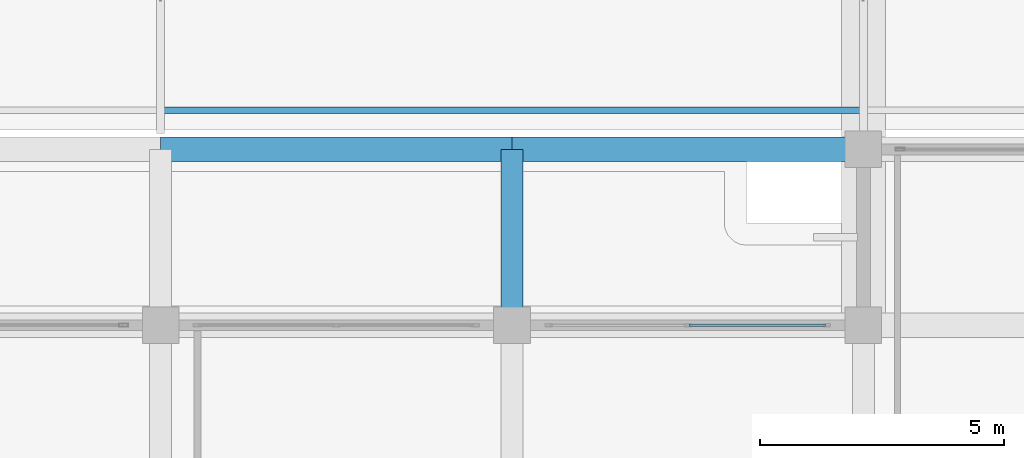
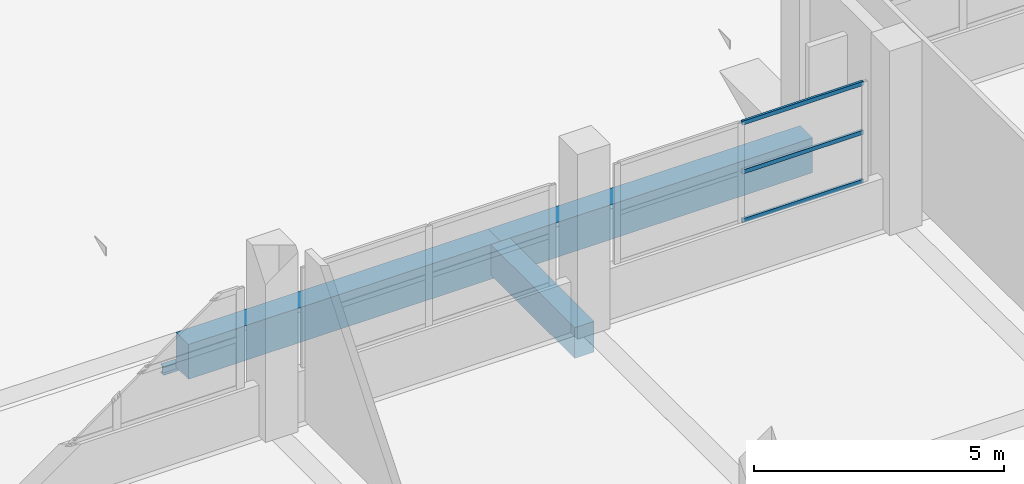
# One storey, part 68 of 141: 4 members, 3 beams, 1 element without a shape of its own.
"""IFC4 building model written with IfcOpenShell, lengths in metres."""

from ifc_helpers import new_model, si_unit, direction, frame, origin, origin_2d, place, context, subcontext, project, spatial, rectangle, hollow_rectangle, i_section, extrude, material, layer, layer_set, material_profile, profile_set, type_object, element, aggregate, save


model = new_model("IFC4")

# Units and contexts
model_context = context("Model", 3, precision=1e-05, world=origin(), true_north=direction((0.0, 1.0)))
body_context = subcontext(model_context, "Body", "Model", "MODEL_VIEW")
ifc_project = project(units=[si_unit("LENGTHUNIT", "METRE"), si_unit("AREAUNIT", "SQUARE_METRE"), si_unit("VOLUMEUNIT", "CUBIC_METRE"), si_unit("PLANEANGLEUNIT", "RADIAN"), si_unit("MASSUNIT", "GRAM", prefix="KILO")], contexts=[model_context])

# Site, building, storey
site_placement = place(None, origin())
site = spatial("IfcSite", under=ifc_project, at=site_placement, CompositionType="ELEMENT")
building_placement = place(site_placement, origin())
building = spatial("IfcBuilding", under=site, at=building_placement, Name="Seraya Terrace Polytechnic", CompositionType="ELEMENT")
storey_placement = place(building_placement, frame((0.0, 0.0, 14.39990234375)))
storey = spatial("IfcBuildingStorey", under=building, at=storey_placement, Name="L03", CompositionType="ELEMENT", Elevation=14.39990234375)

# Beams
ifc_material_1 = material(Name="Concrete C40/50", Category="concrete")
ifc_material_profile_1 = material_profile(ifc_material_1, rectangle(XDim=0.5, YDim=0.85009765625, at=origin_2d()), Name="RC 500x850")
ifc_profile_set_1 = profile_set([ifc_material_profile_1], Name="Concrete C40/50")
beam_type_1 = type_object("IfcBeamType", Name="BM-05", PredefinedType="BEAM", material=ifc_profile_set_1)
for number, where, z_axis, x_axis, name in (
    (1, (28.800048828125, 75.60009765625, -0.4248046875), (1.0, 0.0, 0.0), (0.0, 1.0, 0.0), "Beam BM-05 L03 X (28.8..36.0, 75.6)"),
    (2, (36.0, 75.60009765625, -0.4248046875), (1.0, 0.0, 0.0), (0.0, 1.0, 0.0), "Beam BM-05 L03 X (36.0..43.2, 75.6)"),
):
    element("IfcBeam", number, at=place(storey_placement, frame(where, z_axis=z_axis, x_axis=x_axis)), inside=storey, type_object=beam_type_1, Name=name, PredefinedType="BEAM", context=body_context, shape_type="SweptSolid", body=[
        extrude(rectangle(XDim=0.5, YDim=0.85009765625, at=origin_2d()), origin(), (0.0, 0.0, 1.0), 7.199951171875),
    ])
ifc_material_profile_2 = material_profile(ifc_material_1, rectangle(XDim=0.449951171875, YDim=0.75, at=origin_2d()), Name="RC 450x750")
ifc_profile_set_2 = profile_set([ifc_material_profile_2], Name="Concrete C40/50")
beam_type_2 = type_object("IfcBeamType", Name="BM-08", PredefinedType="BEAM", material=ifc_profile_set_2)
beam_placement = place(storey_placement, frame((36.0, 72.0, -0.375), z_axis=(0.0, 1.0, 0.0), x_axis=(-1.0, 0.0, 0.0)))
element("IfcBeam", 3, at=beam_placement, inside=storey, type_object=beam_type_2, Name="Beam BM-08 L03 Y (36.0, 72.0..75.6)", PredefinedType="BEAM", context=body_context, shape_type="SweptSolid", body=[
    extrude(rectangle(XDim=0.449951171875, YDim=0.75, at=origin_2d()), origin(), (0.0, 0.0, 1.0), 3.60009765625),
])

# Curtain wall, members
ifc_material_2 = material(Name="Anodised aluminium EN AW-6063 T6", Category="aluminium")
ifc_layer = layer(ifc_material_2, 0.179931640625, Name="CW-09")
ifc_layer_set = layer_set([ifc_layer], Name="Anodised aluminium EN AW-6063 T6")
curtain_wall_type = type_object("IfcCurtainWallType", Name="CW-09", PredefinedType="NOTDEFINED", material=ifc_layer_set)
curtain_wall_placement = place(storey_placement, origin())
curtain_wall = element("IfcCurtainWall", 4, at=curtain_wall_placement, inside=storey, type_object=curtain_wall_type, Name="Unitised curtain wall CW-09 (CW-L03-117)", PredefinedType="NOTDEFINED")
ifc_material_profile_3 = material_profile(ifc_material_2, hollow_rectangle(XDim=0.054931640625, YDim=0.10009765625, WallThickness=0.0029296875, at=origin_2d()), Name="RHS 100x55x3.0")
ifc_profile_set_3 = profile_set([ifc_material_profile_3], Name="Anodised aluminium EN AW-6063 T6")
member_type_1 = type_object("IfcMemberType", Name="CWT-03", PredefinedType="USERDEFINED", material=ifc_profile_set_3)
member_1_placement = place(storey_placement, frame((39.6298828125, 72.0, 1.267578125), z_axis=(1.0, 0.0, 0.0), x_axis=(0.0, 1.0, 0.0)))
member_1 = element("IfcMember", 5, at=member_1_placement, type_object=member_type_1, Name="CW-09 transom 2.1", ObjectType="TRANSOM", PredefinedType="USERDEFINED", context=body_context, shape_type="SweptSolid", body=[
    extrude(hollow_rectangle(XDim=0.054931640625, YDim=0.10009765625, WallThickness=0.0029296875, at=origin_2d()), origin(), (0.0, 0.0, 1.0), 2.7900390625),
])
member_2_placement = place(storey_placement, frame((39.6298828125, 72.0, 2.460205078125), z_axis=(1.0, 0.0, 0.0), x_axis=(0.0, 1.0, 0.0)))
member_2 = element("IfcMember", 6, at=member_2_placement, type_object=member_type_1, Name="CW-09 transom 2.2", ObjectType="TRANSOM", PredefinedType="USERDEFINED", context=body_context, shape_type="SweptSolid", body=[
    extrude(hollow_rectangle(XDim=0.054931640625, YDim=0.10009765625, WallThickness=0.0029296875, at=origin_2d()), origin(), (0.0, 0.0, 1.0), 2.7900390625),
])
member_3_placement = place(storey_placement, frame((39.6298828125, 72.0, 3.652587890625), z_axis=(1.0, 0.0, 0.0), x_axis=(0.0, 1.0, 0.0)))
member_3 = element("IfcMember", 7, at=member_3_placement, type_object=member_type_1, Name="CW-09 transom 2.3", ObjectType="TRANSOM", PredefinedType="USERDEFINED", context=body_context, shape_type="SweptSolid", body=[
    extrude(hollow_rectangle(XDim=0.054931640625, YDim=0.10009765625, WallThickness=0.0029296875, at=origin_2d()), origin(), (0.0, 0.0, 1.0), 2.7900390625),
])
aggregate(curtain_wall, [member_1, member_2, member_3])

# Member
ifc_material_3 = material(Name="Steel S355J2", Category="steel")
ifc_material_profile_4 = material_profile(ifc_material_3, i_section(OverallWidth=0.133056640625, OverallDepth=0.202880859375, WebThickness=0.00634765625, FlangeThickness=0.01171875, at=origin_2d()), Name="UKB 203x133x6.4x11.8")
ifc_profile_set_4 = profile_set([ifc_material_profile_4], Name="Steel S355J2")
member_type_2 = type_object("IfcMemberType", Name="PR-02", PredefinedType="PURLIN", material=ifc_profile_set_4)
member_4_placement = place(storey_placement, frame((28.800048828125, 76.39990234375, -1.247802734375), z_axis=(1.0, 0.0, 0.0), x_axis=(0.0, 1.0, 0.0)))
element("IfcMember", 8, at=member_4_placement, inside=storey, type_object=member_type_2, Name="Workshop roof purlin PR-02 bay 2.1", PredefinedType="PURLIN", context=body_context, shape_type="SweptSolid", body=[
    extrude(i_section(OverallWidth=0.133056640625, OverallDepth=0.202880859375, WebThickness=0.00634765625, FlangeThickness=0.01171875, at=origin_2d()), origin(), (0.0, 0.0, 1.0), 14.39990234375),
])

save(model, "model.ifc")
